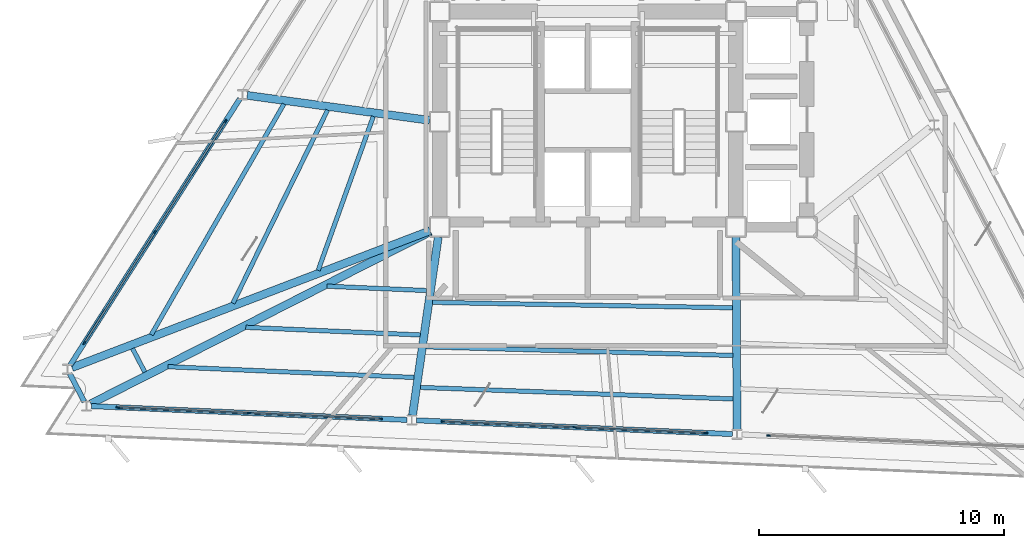
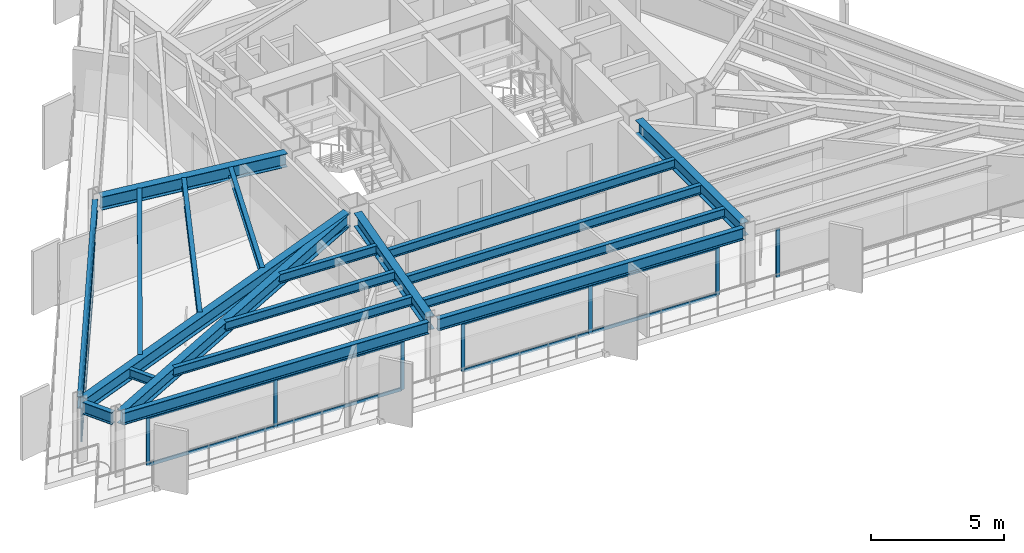
# One storey, part 2 of 12: 22 members, 19 beams, 4 elements without a shape of their own.
"""IFC4 building model written with IfcOpenShell, lengths in metres."""

from ifc_helpers import new_model, si_unit, direction, frame, origin, origin_2d, place, context, subcontext, project, spatial, rectangle, i_section, extrude, material, layer, layer_set, material_profile, profile_set, type_object, element, aggregate, save


model = new_model("IFC4")

# Units and contexts
model_context = context("Model", 3, precision=1e-05, world=origin(), true_north=direction((0.0, 1.0)))
body_context = subcontext(model_context, "Body", "Model", "MODEL_VIEW")
ifc_project = project(units=[si_unit("LENGTHUNIT", "METRE"), si_unit("AREAUNIT", "SQUARE_METRE"), si_unit("VOLUMEUNIT", "CUBIC_METRE"), si_unit("PLANEANGLEUNIT", "RADIAN"), si_unit("MASSUNIT", "GRAM", prefix="KILO")], contexts=[model_context])

# Site, building, storey
site_placement = place(None, origin())
site = spatial("IfcSite", under=ifc_project, at=site_placement, CompositionType="ELEMENT")
building_placement = place(site_placement, origin())
building = spatial("IfcBuilding", under=site, at=building_placement, Name="Rocaltana Carrier Exchange", CompositionType="ELEMENT")
storey_placement = place(building_placement, frame((0.0, 0.0, 128.9599609375)))
storey = spatial("IfcBuildingStorey", under=building, at=storey_placement, Name="L40", CompositionType="ELEMENT", Elevation=128.9599609375)

# Curtain wall, members
ifc_material_1 = material(Name="Aluminium 6063-T6", Category="aluminium")
ifc_layer = layer(ifc_material_1, 0.14990234375)
ifc_layer_set = layer_set([ifc_layer], Name="Aluminium 6063-T6")
curtain_wall_type = type_object("IfcCurtainWallType", Name="Mid-Tower Unitised Curtain Wall CW-03", PredefinedType="NOTDEFINED", material=ifc_layer_set)
curtain_wall_1_placement = place(storey_placement, origin())
curtain_wall_1 = element("IfcCurtainWall", 1, at=curtain_wall_1_placement, inside=storey, type_object=curtain_wall_type, Name="L40 CW-03 Run CW-L40-F2S3", PredefinedType="NOTDEFINED")
ifc_material_2 = material(Name="Aluminium 6063-T6", Category="aluminium")
ifc_material_profile_1 = material_profile(ifc_material_2, rectangle(XDim=0.06005859375, YDim=0.14990234375, at=origin_2d()), Name="AL-60X150")
ifc_profile_set_1 = profile_set([ifc_material_profile_1], Name="Aluminium 6063-T6")
member_type_1 = type_object("IfcMemberType", Name="CW-03 Mullion AL-60X150", PredefinedType="MULLION", material=ifc_profile_set_1)
member_1_placement = place(storey_placement, frame((-14.79541015625, 0.023193359375, 0.0), z_axis=(0.0, 0.0, 1.0), x_axis=(0.843390685726, -0.537300801443, 0.0)))
member_1 = element("IfcMember", 2, at=member_1_placement, type_object=member_type_1, Name="CW-03 mullion 1", PredefinedType="MULLION", context=body_context, shape_type="SweptSolid", body=[
    extrude(rectangle(XDim=0.06005859375, YDim=0.14990234375, at=origin_2d()), origin(), (0.0, 0.0, 1.0), 2.218017578125),
])
member_2_placement = place(storey_placement, frame((-17.680908203125, -4.505859375, 0.0), z_axis=(0.0, 0.0, 1.0), x_axis=(0.843390685726, -0.537300801443, 0.0)))
member_2 = element("IfcMember", 3, at=member_2_placement, type_object=member_type_1, Name="CW-03 mullion 2", PredefinedType="MULLION", context=body_context, shape_type="SweptSolid", body=[
    extrude(rectangle(XDim=0.06005859375, YDim=0.14990234375, at=origin_2d()), origin(), (0.0, 0.0, 1.0), 2.218017578125),
])
member_3_placement = place(storey_placement, frame((-20.566162109375, -9.034912109375, 0.0), z_axis=(0.0, 0.0, 1.0), x_axis=(0.843390685726, -0.537300801443, 0.0)))
member_3 = element("IfcMember", 4, at=member_3_placement, type_object=member_type_1, Name="CW-03 mullion 3", PredefinedType="MULLION", context=body_context, shape_type="SweptSolid", body=[
    extrude(rectangle(XDim=0.06005859375, YDim=0.14990234375, at=origin_2d()), origin(), (0.0, 0.0, 1.0), 2.218017578125),
])

curtain_wall_2_placement = place(storey_placement, origin())
curtain_wall_2 = element("IfcCurtainWall", 5, at=curtain_wall_2_placement, inside=storey, type_object=curtain_wall_type, Name="L40 CW-03 Run CW-L40-F3S1", PredefinedType="NOTDEFINED")
member_4_placement = place(storey_placement, frame((-19.197021484375, -11.66455078125, 0.0), z_axis=(0.0, 0.0, 1.0), x_axis=(0.043629290456, 0.999047789154, 0.0)))
member_4 = element("IfcMember", 6, at=member_4_placement, type_object=member_type_1, Name="CW-03 mullion 1", PredefinedType="MULLION", context=body_context, shape_type="SweptSolid", body=[
    extrude(rectangle(XDim=0.06005859375, YDim=0.14990234375, at=origin_2d()), origin(), (0.0, 0.0, 1.0), 2.218017578125),
])
member_5_placement = place(storey_placement, frame((-13.832275390625, -11.89892578125, 0.0), z_axis=(0.0, 0.0, 1.0), x_axis=(0.043629290456, 0.999047789154, 0.0)))
member_5 = element("IfcMember", 7, at=member_5_placement, type_object=member_type_1, Name="CW-03 mullion 2", PredefinedType="MULLION", context=body_context, shape_type="SweptSolid", body=[
    extrude(rectangle(XDim=0.06005859375, YDim=0.14990234375, at=origin_2d()), origin(), (0.0, 0.0, 1.0), 2.218017578125),
])
member_6_placement = place(storey_placement, frame((-8.46728515625, -12.13330078125, 0.0), z_axis=(0.0, 0.0, 1.0), x_axis=(0.043629290456, 0.999047789154, 0.0)))
member_6 = element("IfcMember", 8, at=member_6_placement, type_object=member_type_1, Name="CW-03 mullion 3", PredefinedType="MULLION", context=body_context, shape_type="SweptSolid", body=[
    extrude(rectangle(XDim=0.06005859375, YDim=0.14990234375, at=origin_2d()), origin(), (0.0, 0.0, 1.0), 2.218017578125),
])

curtain_wall_3_placement = place(storey_placement, origin())
curtain_wall_3 = element("IfcCurtainWall", 9, at=curtain_wall_3_placement, inside=storey, type_object=curtain_wall_type, Name="L40 CW-03 Run CW-L40-F3S2", PredefinedType="NOTDEFINED")
member_7_placement = place(storey_placement, frame((-5.90966796875, -12.244873046875, 0.0), z_axis=(0.0, 0.0, 1.0), x_axis=(0.043620452398, 0.999048175081, 0.0)))
member_7 = element("IfcMember", 10, at=member_7_placement, type_object=member_type_1, Name="CW-03 mullion 1", PredefinedType="MULLION", context=body_context, shape_type="SweptSolid", body=[
    extrude(rectangle(XDim=0.06005859375, YDim=0.14990234375, at=origin_2d()), origin(), (0.0, 0.0, 1.0), 2.218017578125),
])
member_8_placement = place(storey_placement, frame((-0.544921875, -12.47900390625, 0.0), z_axis=(0.0, 0.0, 1.0), x_axis=(0.043620452398, 0.999048175081, 0.0)))
member_8 = element("IfcMember", 11, at=member_8_placement, type_object=member_type_1, Name="CW-03 mullion 2", PredefinedType="MULLION", context=body_context, shape_type="SweptSolid", body=[
    extrude(rectangle(XDim=0.06005859375, YDim=0.14990234375, at=origin_2d()), origin(), (0.0, 0.0, 1.0), 2.218017578125),
])
member_9_placement = place(storey_placement, frame((4.820068359375, -12.71337890625, 0.0), z_axis=(0.0, 0.0, 1.0), x_axis=(0.043620452398, 0.999048175081, 0.0)))
member_9 = element("IfcMember", 12, at=member_9_placement, type_object=member_type_1, Name="CW-03 mullion 3", PredefinedType="MULLION", context=body_context, shape_type="SweptSolid", body=[
    extrude(rectangle(XDim=0.06005859375, YDim=0.14990234375, at=origin_2d()), origin(), (0.0, 0.0, 1.0), 2.218017578125),
])

# Curtain wall, member
curtain_wall_4_placement = place(storey_placement, origin())
curtain_wall_4 = element("IfcCurtainWall", 13, at=curtain_wall_4_placement, inside=storey, type_object=curtain_wall_type, Name="L40 CW-03 Run CW-L40-F3S3", PredefinedType="NOTDEFINED")
member_10_placement = place(storey_placement, frame((7.377685546875, -12.824951171875, 0.0), z_axis=(0.0, 0.0, 1.0), x_axis=(0.043629290456, 0.999047789154, 0.0)))
member_10 = element("IfcMember", 14, at=member_10_placement, type_object=member_type_1, Name="CW-03 mullion 1", PredefinedType="MULLION", context=body_context, shape_type="SweptSolid", body=[
    extrude(rectangle(XDim=0.06005859375, YDim=0.14990234375, at=origin_2d()), origin(), (0.0, 0.0, 1.0), 2.218017578125),
])
aggregate(curtain_wall_4, [member_10])

# Member
ifc_material_3 = material(Name="Aluminium 6063-T6", Category="aluminium")
ifc_material_profile_2 = material_profile(ifc_material_3, rectangle(XDim=0.06005859375, YDim=0.14990234375, at=origin_2d()), Name="AL-60X150")
ifc_profile_set_2 = profile_set([ifc_material_profile_2], Name="Aluminium 6063-T6")
member_type_2 = type_object("IfcMemberType", Name="CW-03 Transom AL-60X150", PredefinedType="USERDEFINED", material=ifc_profile_set_2)
member_11_placement = place(storey_placement, frame((-14.8115234375, -0.001953125, 0.030029296875), z_axis=(-0.537318678484, -0.843379296493, 0.0), x_axis=(0.843379296493, -0.537318678484, 0.0)))
member_11 = element("IfcMember", 15, at=member_11_placement, type_object=member_type_2, Name="CW-03 transom 1.1", ObjectType="TRANSOM", PredefinedType="USERDEFINED", context=body_context, shape_type="SweptSolid", body=[
    extrude(rectangle(XDim=0.06005859375, YDim=0.14990234375, at=origin_2d()), origin(), (0.0, 0.0, 1.0), 5.310302734375),
])

member_12_placement = place(storey_placement, frame((-14.8115234375, -0.001953125, 2.18798828125), z_axis=(-0.537318678484, -0.843379296493, 0.0), x_axis=(0.843379296493, -0.537318678484, 0.0)))
member_12 = element("IfcMember", 16, at=member_12_placement, type_object=member_type_2, Name="CW-03 transom 1.2", ObjectType="TRANSOM", PredefinedType="USERDEFINED", context=body_context, shape_type="SweptSolid", body=[
    extrude(rectangle(XDim=0.06005859375, YDim=0.14990234375, at=origin_2d()), origin(), (0.0, 0.0, 1.0), 5.310302734375),
])

member_13_placement = place(storey_placement, frame((-17.697021484375, -4.531005859375, 0.030029296875), z_axis=(-0.537285975238, -0.843400130906, 0.0), x_axis=(0.843400130906, -0.537285975238, 0.0)))
member_13 = element("IfcMember", 17, at=member_13_placement, type_object=member_type_2, Name="CW-03 transom 2.1", ObjectType="TRANSOM", PredefinedType="USERDEFINED", context=body_context, shape_type="SweptSolid", body=[
    extrude(rectangle(XDim=0.06005859375, YDim=0.14990234375, at=origin_2d()), origin(), (0.0, 0.0, 1.0), 5.31005859375),
])

member_14_placement = place(storey_placement, frame((-17.697021484375, -4.531005859375, 2.18798828125), z_axis=(-0.537285975238, -0.843400130906, 0.0), x_axis=(0.843400130906, -0.537285975238, 0.0)))
member_14 = element("IfcMember", 18, at=member_14_placement, type_object=member_type_2, Name="CW-03 transom 2.2", ObjectType="TRANSOM", PredefinedType="USERDEFINED", context=body_context, shape_type="SweptSolid", body=[
    extrude(rectangle(XDim=0.06005859375, YDim=0.14990234375, at=origin_2d()), origin(), (0.0, 0.0, 1.0), 5.31005859375),
])

aggregate(curtain_wall_1, [member_1, member_2, member_3, member_11, member_12, member_13, member_14])

member_15_placement = place(storey_placement, frame((-19.167236328125, -11.666015625, 0.030029296875), z_axis=(0.999047725225, -0.043630754314, 0.0), x_axis=(0.043630754314, 0.999047725225, 0.0)))
member_15 = element("IfcMember", 19, at=member_15_placement, type_object=member_type_2, Name="CW-03 transom 1.1", ObjectType="TRANSOM", PredefinedType="USERDEFINED", context=body_context, shape_type="SweptSolid", body=[
    extrude(rectangle(XDim=0.06005859375, YDim=0.14990234375, at=origin_2d()), origin(), (0.0, 0.0, 1.0), 5.310302734375),
])

member_16_placement = place(storey_placement, frame((-19.167236328125, -11.666015625, 2.18798828125), z_axis=(0.999047725225, -0.043630754314, 0.0), x_axis=(0.043630754314, 0.999047725225, 0.0)))
member_16 = element("IfcMember", 20, at=member_16_placement, type_object=member_type_2, Name="CW-03 transom 1.2", ObjectType="TRANSOM", PredefinedType="USERDEFINED", context=body_context, shape_type="SweptSolid", body=[
    extrude(rectangle(XDim=0.06005859375, YDim=0.14990234375, at=origin_2d()), origin(), (0.0, 0.0, 1.0), 5.310302734375),
])

member_17_placement = place(storey_placement, frame((-13.80224609375, -11.900146484375, 0.030029296875), z_axis=(0.999047637698, -0.043632758442, 0.0), x_axis=(0.043632758442, 0.999047637698, 0.0)))
member_17 = element("IfcMember", 21, at=member_17_placement, type_object=member_type_2, Name="CW-03 transom 2.1", ObjectType="TRANSOM", PredefinedType="USERDEFINED", context=body_context, shape_type="SweptSolid", body=[
    extrude(rectangle(XDim=0.06005859375, YDim=0.14990234375, at=origin_2d()), origin(), (0.0, 0.0, 1.0), 5.31005859375),
])

member_18_placement = place(storey_placement, frame((-13.80224609375, -11.900146484375, 2.18798828125), z_axis=(0.999047637698, -0.043632758442, 0.0), x_axis=(0.043632758442, 0.999047637698, 0.0)))
member_18 = element("IfcMember", 22, at=member_18_placement, type_object=member_type_2, Name="CW-03 transom 2.2", ObjectType="TRANSOM", PredefinedType="USERDEFINED", context=body_context, shape_type="SweptSolid", body=[
    extrude(rectangle(XDim=0.06005859375, YDim=0.14990234375, at=origin_2d()), origin(), (0.0, 0.0, 1.0), 5.31005859375),
])

aggregate(curtain_wall_2, [member_4, member_5, member_6, member_15, member_16, member_17, member_18])

member_19_placement = place(storey_placement, frame((-5.879638671875, -12.24609375, 0.030029296875), z_axis=(0.999047637698, -0.043632758442, 0.0), x_axis=(0.043632758442, 0.999047637698, 0.0)))
member_19 = element("IfcMember", 23, at=member_19_placement, type_object=member_type_2, Name="CW-03 transom 1.1", ObjectType="TRANSOM", PredefinedType="USERDEFINED", context=body_context, shape_type="SweptSolid", body=[
    extrude(rectangle(XDim=0.06005859375, YDim=0.14990234375, at=origin_2d()), origin(), (0.0, 0.0, 1.0), 5.31005859375),
])

member_20_placement = place(storey_placement, frame((-5.879638671875, -12.24609375, 2.18798828125), z_axis=(0.999047637698, -0.043632758442, 0.0), x_axis=(0.043632758442, 0.999047637698, 0.0)))
member_20 = element("IfcMember", 24, at=member_20_placement, type_object=member_type_2, Name="CW-03 transom 1.2", ObjectType="TRANSOM", PredefinedType="USERDEFINED", context=body_context, shape_type="SweptSolid", body=[
    extrude(rectangle(XDim=0.06005859375, YDim=0.14990234375, at=origin_2d()), origin(), (0.0, 0.0, 1.0), 5.31005859375),
])

member_21_placement = place(storey_placement, frame((-0.514892578125, -12.48046875, 0.030029296875), z_axis=(0.999049640868, -0.04358686822, 0.0), x_axis=(0.04358686822, 0.999049640868, 0.0)))
member_21 = element("IfcMember", 25, at=member_21_placement, type_object=member_type_2, Name="CW-03 transom 2.1", ObjectType="TRANSOM", PredefinedType="USERDEFINED", context=body_context, shape_type="SweptSolid", body=[
    extrude(rectangle(XDim=0.06005859375, YDim=0.14990234375, at=origin_2d()), origin(), (0.0, 0.0, 1.0), 5.31005859375),
])

member_22_placement = place(storey_placement, frame((-0.514892578125, -12.48046875, 2.18798828125), z_axis=(0.999049640868, -0.04358686822, 0.0), x_axis=(0.04358686822, 0.999049640868, 0.0)))
member_22 = element("IfcMember", 26, at=member_22_placement, type_object=member_type_2, Name="CW-03 transom 2.2", ObjectType="TRANSOM", PredefinedType="USERDEFINED", context=body_context, shape_type="SweptSolid", body=[
    extrude(rectangle(XDim=0.06005859375, YDim=0.14990234375, at=origin_2d()), origin(), (0.0, 0.0, 1.0), 5.31005859375),
])

aggregate(curtain_wall_3, [member_7, member_8, member_9, member_19, member_20, member_21, member_22])

# Beams
ifc_material_4 = material(Name="Steel S355", Category="steel")
ifc_material_profile_3 = material_profile(ifc_material_4, i_section(OverallWidth=0.179931640625, OverallDepth=0.4130859375, WebThickness=0.009765625, FlangeThickness=0.01611328125, FilletRadius=0.012939453125, at=origin_2d()), Name="W16X50")
ifc_profile_set_3 = profile_set([ifc_material_profile_3], Name="Steel S355")
beam_type_1 = type_object("IfcBeamType", Name="Floor Joist W16X50", PredefinedType="JOIST", material=ifc_profile_set_3)
beam_1_placement = place(storey_placement, frame((-8.76171875, 0.217041015625, 2.58154296875), z_axis=(-0.33724376494, -0.941417358566, 0.0), x_axis=(0.941417358566, -0.33724376494, 0.0)))
element("IfcBeam", 27, at=beam_1_placement, inside=storey, type_object=beam_type_1, Name="FJ-L40-07-1", PredefinedType="JOIST", context=body_context, shape_type="SweptSolid", body=[
    extrude(i_section(OverallWidth=0.179931640625, OverallDepth=0.4130859375, WebThickness=0.009765625, FlangeThickness=0.01611328125, FilletRadius=0.012939453125, at=origin_2d()), origin(), (0.0, 0.0, 1.0), 6.680419921875),
])
beam_2_placement = place(storey_placement, frame((-10.631103515625, 0.4775390625, 2.58154296875), z_axis=(-0.439708785258, -0.898140403371, 0.0), x_axis=(0.898140403371, -0.439708785258, 0.0)))
element("IfcBeam", 28, at=beam_2_placement, inside=storey, type_object=beam_type_1, Name="FJ-L40-07-2", PredefinedType="JOIST", context=body_context, shape_type="SweptSolid", body=[
    extrude(i_section(OverallWidth=0.179931640625, OverallDepth=0.4130859375, WebThickness=0.009765625, FlangeThickness=0.01611328125, FilletRadius=0.012939453125, at=origin_2d()), origin(), (0.0, 0.0, 1.0), 8.788818359375),
])
beam_3_placement = place(storey_placement, frame((-12.412841796875, 0.724853515625, 2.58154296875), z_axis=(-0.498415428492, -0.866938325742, 0.0), x_axis=(0.866938325742, -0.498415428492, 0.0)))
element("IfcBeam", 29, at=beam_3_placement, inside=storey, type_object=beam_type_1, Name="FJ-L40-07-3", PredefinedType="JOIST", context=body_context, shape_type="SweptSolid", body=[
    extrude(i_section(OverallWidth=0.179931640625, OverallDepth=0.4130859375, WebThickness=0.009765625, FlangeThickness=0.01611328125, FilletRadius=0.012939453125, at=origin_2d()), origin(), (0.0, 0.0, 1.0), 10.871337890625),
])
beam_4_placement = place(storey_placement, frame((-18.59716796875, -9.26416015625, 2.58154296875), z_axis=(0.461805518623, -0.886981207788, 0.0), x_axis=(0.886981207788, 0.461805518623, 0.0)))
element("IfcBeam", 30, at=beam_4_placement, inside=storey, type_object=beam_type_1, Name="FJ-L40-08-3", PredefinedType="JOIST", context=body_context, shape_type="SweptSolid", body=[
    extrude(i_section(OverallWidth=0.179931640625, OverallDepth=0.4130859375, WebThickness=0.009765625, FlangeThickness=0.01611328125, FilletRadius=0.012939453125, at=origin_2d()), origin(), (0.0, 0.0, 1.0), 1.08642578125),
])
beam_5_placement = place(storey_placement, frame((-10.65478515625, -6.71875, 2.58154296875), z_axis=(0.999049367243, -0.043593139496, 0.0), x_axis=(0.043593139496, 0.999049367243, 0.0)))
element("IfcBeam", 31, at=beam_5_placement, inside=storey, type_object=beam_type_1, Name="FJ-L40-09-1", PredefinedType="JOIST", context=body_context, shape_type="SweptSolid", body=[
    extrude(i_section(OverallWidth=0.179931640625, OverallDepth=0.4130859375, WebThickness=0.009765625, FlangeThickness=0.01611328125, FilletRadius=0.012939453125, at=origin_2d()), origin(), (0.0, 0.0, 1.0), 4.0771484375),
])
beam_6_placement = place(storey_placement, frame((-13.97265625, -8.399658203125, 2.58154296875), z_axis=(0.999048136887, -0.043621327164, 0.0), x_axis=(0.043621327164, 0.999048136887, 0.0)))
element("IfcBeam", 32, at=beam_6_placement, inside=storey, type_object=beam_type_1, Name="FJ-L40-09-2", PredefinedType="JOIST", context=body_context, shape_type="SweptSolid", body=[
    extrude(i_section(OverallWidth=0.179931640625, OverallDepth=0.4130859375, WebThickness=0.009765625, FlangeThickness=0.01611328125, FilletRadius=0.012939453125, at=origin_2d()), origin(), (0.0, 0.0, 1.0), 7.135986328125),
])
beam_7_placement = place(storey_placement, frame((-17.146484375, -10.0078125, 2.58154296875), z_axis=(0.999049003147, -0.043601482906, 0.0), x_axis=(0.043601482906, 0.999049003147, 0.0)))
element("IfcBeam", 33, at=beam_7_placement, inside=storey, type_object=beam_type_1, Name="FJ-L40-09-3", PredefinedType="JOIST", context=body_context, shape_type="SweptSolid", body=[
    extrude(i_section(OverallWidth=0.179931640625, OverallDepth=0.4130859375, WebThickness=0.009765625, FlangeThickness=0.01611328125, FilletRadius=0.012939453125, at=origin_2d()), origin(), (0.0, 0.0, 1.0), 10.06201171875),
])
beam_8_placement = place(storey_placement, frame((-6.337890625, -7.37939453125, 2.58154296875), z_axis=(0.999837766755, -0.018012222821, 0.0), x_axis=(0.018012222821, 0.999837766755, 0.0)))
element("IfcBeam", 34, at=beam_8_placement, inside=storey, type_object=beam_type_1, Name="FJ-L40-10-1", PredefinedType="JOIST", context=body_context, shape_type="SweptSolid", body=[
    extrude(i_section(OverallWidth=0.179931640625, OverallDepth=0.4130859375, WebThickness=0.009765625, FlangeThickness=0.01611328125, FilletRadius=0.012939453125, at=origin_2d()), origin(), (0.0, 0.0, 1.0), 12.2529296875),
])
beam_9_placement = place(storey_placement, frame((-6.599853515625, -9.195556640625, 2.58154296875), z_axis=(0.999607887899, -0.028001258015, 0.0), x_axis=(0.028001258015, 0.999607887899, 0.0)))
element("IfcBeam", 35, at=beam_9_placement, inside=storey, type_object=beam_type_1, Name="FJ-L40-10-2", PredefinedType="JOIST", context=body_context, shape_type="SweptSolid", body=[
    extrude(i_section(OverallWidth=0.179931640625, OverallDepth=0.4130859375, WebThickness=0.009765625, FlangeThickness=0.01611328125, FilletRadius=0.012939453125, at=origin_2d()), origin(), (0.0, 0.0, 1.0), 12.529052734375),
])
beam_10_placement = place(storey_placement, frame((-6.839111328125, -10.853515625, 2.58154296875), z_axis=(0.999323856685, -0.036767233503, 0.0), x_axis=(0.036767233503, 0.999323856685, 0.0)))
element("IfcBeam", 36, at=beam_10_placement, inside=storey, type_object=beam_type_1, Name="FJ-L40-10-3", PredefinedType="JOIST", context=body_context, shape_type="SweptSolid", body=[
    extrude(i_section(OverallWidth=0.179931640625, OverallDepth=0.4130859375, WebThickness=0.009765625, FlangeThickness=0.01611328125, FilletRadius=0.012939453125, at=origin_2d()), origin(), (0.0, 0.0, 1.0), 12.7822265625),
])
ifc_material_5 = material(Name="Steel S355", Category="steel")
ifc_material_profile_4 = material_profile(ifc_material_5, i_section(OverallWidth=0.323974609375, OverallDepth=0.611083984375, WebThickness=0.0126953125, FlangeThickness=0.01904296875, FilletRadius=0.01611328125, at=origin_2d()), Name="W24X104")
ifc_profile_set_4 = profile_set([ifc_material_profile_4], Name="Steel S355")
beam_type_2 = type_object("IfcBeamType", Name="Radial Girder W24X104", PredefinedType="BEAM", material=ifc_profile_set_4)
beam_11_placement = place(storey_placement, frame((-6.463134765625, 0.056396484375, 2.482421875), z_axis=(-0.99076030622, 0.13562453915, 0.0), x_axis=(-0.13562453915, -0.99076030622, 0.0)))
element("IfcBeam", 37, at=beam_11_placement, inside=storey, type_object=beam_type_2, Name="RG-L40-07", PredefinedType="BEAM", context=body_context, shape_type="SweptSolid", body=[
    extrude(i_section(OverallWidth=0.323974609375, OverallDepth=0.611083984375, WebThickness=0.0126953125, FlangeThickness=0.01904296875, FilletRadius=0.01611328125, at=origin_2d()), origin(), (0.0, 0.0, 1.0), 7.52099609375),
])
beam_12_placement = place(storey_placement, frame((-6.439453125, -4.448974609375, 2.482421875), z_axis=(-0.934030732637, -0.357192651784, 0.0), x_axis=(0.357192651784, -0.934030732637, 0.0)))
element("IfcBeam", 38, at=beam_12_placement, inside=storey, type_object=beam_type_2, Name="RG-L40-08", PredefinedType="BEAM", context=body_context, shape_type="SweptSolid", body=[
    extrude(i_section(OverallWidth=0.323974609375, OverallDepth=0.611083984375, WebThickness=0.0126953125, FlangeThickness=0.01904296875, FilletRadius=0.01611328125, at=origin_2d()), origin(), (0.0, 0.0, 1.0), 15.665771484375),
])
beam_13_placement = place(storey_placement, frame((-6.422119140625, -4.488525390625, 2.482421875), z_axis=(-0.892042186248, -0.451952141221, 0.0), x_axis=(0.451952141221, -0.892042186248, 0.0)))
element("IfcBeam", 39, at=beam_13_placement, inside=storey, type_object=beam_type_2, Name="RG-L40-09", PredefinedType="BEAM", context=body_context, shape_type="SweptSolid", body=[
    extrude(i_section(OverallWidth=0.323974609375, OverallDepth=0.611083984375, WebThickness=0.0126953125, FlangeThickness=0.01904296875, FilletRadius=0.01611328125, at=origin_2d()), origin(), (0.0, 0.0, 1.0), 15.5595703125),
])
beam_14_placement = place(storey_placement, frame((-6.109619140625, -4.712646484375, 2.482421875), z_axis=(-0.142823907608, -0.989748115136, 0.0), x_axis=(0.989748115136, -0.142823907608, 0.0)))
element("IfcBeam", 40, at=beam_14_placement, inside=storey, type_object=beam_type_2, Name="RG-L40-10", PredefinedType="BEAM", context=body_context, shape_type="SweptSolid", body=[
    extrude(i_section(OverallWidth=0.323974609375, OverallDepth=0.611083984375, WebThickness=0.0126953125, FlangeThickness=0.01904296875, FilletRadius=0.01611328125, at=origin_2d()), origin(), (0.0, 0.0, 1.0), 7.35888671875),
])
beam_15_placement = place(storey_placement, frame((6.052490234375, -4.717041015625, 2.482421875), z_axis=(0.0057482815, -0.999983478493, 0.0), x_axis=(0.999983478493, 0.0057482815, 0.0)))
element("IfcBeam", 41, at=beam_15_placement, inside=storey, type_object=beam_type_2, Name="RG-L40-11", PredefinedType="BEAM", context=body_context, shape_type="SweptSolid", body=[
    extrude(i_section(OverallWidth=0.323974609375, OverallDepth=0.611083984375, WebThickness=0.0126953125, FlangeThickness=0.01904296875, FilletRadius=0.01611328125, at=origin_2d()), origin(), (0.0, 0.0, 1.0), 7.857421875),
])
ifc_material_6 = material(Name="Steel S355", Category="steel")
ifc_material_profile_5 = material_profile(ifc_material_6, i_section(OverallWidth=0.2119140625, OverallDepth=0.5439453125, WebThickness=0.01318359375, FlangeThickness=0.021240234375, FilletRadius=0.014892578125, at=origin_2d()), Name="W21X83")
ifc_profile_set_5 = profile_set([ifc_material_profile_5], Name="Steel S355")
beam_type_3 = type_object("IfcBeamType", Name="Spandrel Edge Beam W21X83", PredefinedType="SPANDREL", material=ifc_profile_set_5)
beam_16_placement = place(storey_placement, frame((-14.212646484375, 0.938232421875, 2.51611328125), z_axis=(-0.53730737778, -0.843386496088, 0.0), x_axis=(0.843386496088, -0.53730737778, 0.0)))
element("IfcBeam", 42, at=beam_16_placement, inside=storey, type_object=beam_type_3, Name="SP-L40-07", PredefinedType="SPANDREL", context=body_context, shape_type="SweptSolid", body=[
    extrude(i_section(OverallWidth=0.2119140625, OverallDepth=0.5439453125, WebThickness=0.01318359375, FlangeThickness=0.021240234375, FilletRadius=0.014892578125, at=origin_2d()), origin(), (0.0, 0.0, 1.0), 12.90966796875),
])
beam_17_placement = place(storey_placement, frame((-21.163818359375, -10.287353515625, 2.51611328125), z_axis=(0.461786087102, -0.886991324512, 0.0), x_axis=(0.886991324512, 0.461786087102, 0.0)))
element("IfcBeam", 43, at=beam_17_placement, inside=storey, type_object=beam_type_3, Name="SP-L40-08", PredefinedType="SPANDREL", context=body_context, shape_type="SweptSolid", body=[
    extrude(i_section(OverallWidth=0.2119140625, OverallDepth=0.5439453125, WebThickness=0.01318359375, FlangeThickness=0.021240234375, FilletRadius=0.014892578125, at=origin_2d()), origin(), (0.0, 0.0, 1.0), 1.294677734375),
])
for number, where, z_axis, x_axis, name in (
    (44, (-20.281005859375, -11.6171875, 2.51611328125), (0.999047862202, -0.04362761775, 0.0), (0.04362761775, 0.999047862202, 0.0), "SP-L40-09"),
    (45, (-6.99365234375, -12.197509765625, 2.51611328125), (0.999048686279, -0.043608742747, 0.0), (0.043608742747, 0.999048686279, 0.0), "SP-L40-10"),
):
    element("IfcBeam", number, at=place(storey_placement, frame(where, z_axis=z_axis, x_axis=x_axis)), inside=storey, type_object=beam_type_3, Name=name, PredefinedType="SPANDREL", context=body_context, shape_type="SweptSolid", body=[
        extrude(i_section(OverallWidth=0.2119140625, OverallDepth=0.5439453125, WebThickness=0.01318359375, FlangeThickness=0.021240234375, FilletRadius=0.014892578125, at=origin_2d()), origin(), (0.0, 0.0, 1.0), 12.909912109375),
    ])

save(model, "model.ifc")
